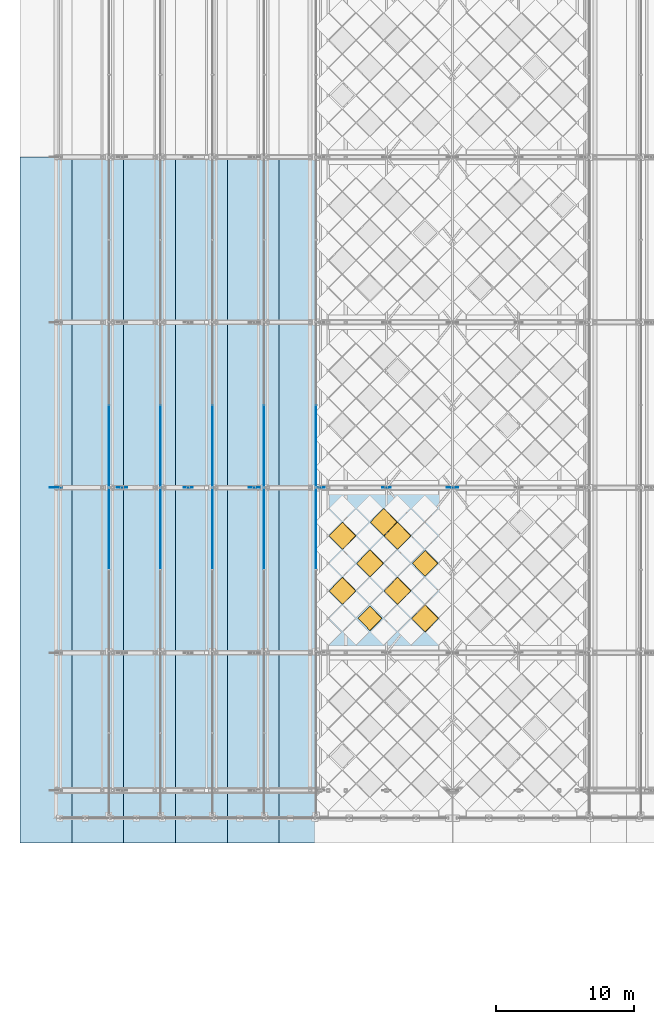
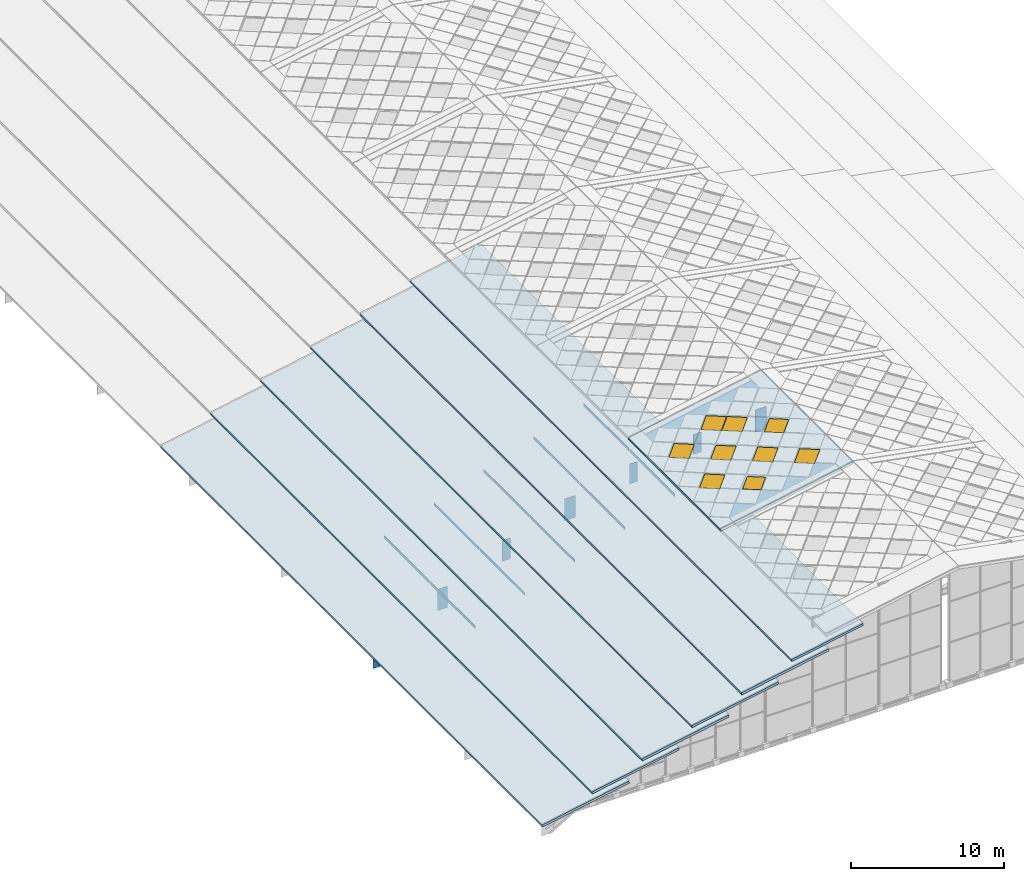
# One storey, part 88 of 117: 17 plates, 9 windows, 7 slabs, 9 openings, 10 elements without a shape of their own.
"""IFC4 building model written with IfcOpenShell, lengths in metres."""

from ifc_helpers import new_model, si_unit, direction, frame, origin, origin_2d, place, context, subcontext, project, spatial, polyline, rectangle, outline, extrude, material, layer, layer_set, type_object, element, fill, aggregate, save


model = new_model("IFC4")

# Units and contexts
model_context = context("Model", 3, precision=1e-05, world=origin(), true_north=direction((0.0, 1.0)))
body_context = subcontext(model_context, "Body", "Model", "MODEL_VIEW")
ifc_project = project(units=[si_unit("LENGTHUNIT", "METRE"), si_unit("AREAUNIT", "SQUARE_METRE"), si_unit("VOLUMEUNIT", "CUBIC_METRE"), si_unit("PLANEANGLEUNIT", "RADIAN"), si_unit("MASSUNIT", "GRAM", prefix="KILO")], contexts=[model_context])

# Site, building, storey
site_placement = place(None, origin())
site = spatial("IfcSite", under=ifc_project, at=site_placement, CompositionType="ELEMENT")
building_placement = place(site_placement, origin())
building = spatial("IfcBuilding", under=site, at=building_placement, Name="Merenkruunu Market Hall", CompositionType="ELEMENT")
storey_placement = place(building_placement, frame((0.0, 0.0, 22.800048828125)))
storey = spatial("IfcBuildingStorey", under=building, at=storey_placement, Name="RF", CompositionType="ELEMENT", Elevation=22.800048828125)

# Curtain wall, plate
ifc_material_1 = material(Name="Powder-coated aluminium", Category="aluminium")
curtain_wall_type = type_object("IfcCurtainWallType", Name="Clerestory Curtain Band CL05", PredefinedType="USERDEFINED", material=ifc_material_1)
curtain_wall_1_placement = place(storey_placement, origin())
curtain_wall_1 = element("IfcCurtainWall", 1, at=curtain_wall_1_placement, inside=storey, type_object=curtain_wall_type, Name="CW-RF-CWM04-081", ObjectType="CLERESTORY_BAND", PredefinedType="USERDEFINED")
ifc_material_2 = material(Name="Triple low-E insulated glass", Category="glass")
ifc_layer_1 = layer(ifc_material_2, 0.035888671875)
ifc_layer_set_1 = layer_set([ifc_layer_1], Name="Triple low-E insulated glass")
plate_type_1 = type_object("IfcPlateType", Name="Curtain Wall Glazing Panel CWP08", PredefinedType="CURTAIN_PANEL", material=ifc_layer_set_1)
plate_1_placement = place(storey_placement, frame((3.840087890625, 36.607421875, -6.462158203125), z_axis=(0.0, 0.0, 1.0), x_axis=(0.0, 1.0, 0.0)))
plate_1 = element("IfcPlate", 2, at=plate_1_placement, type_object=plate_type_1, Name="CL05 panel 4.1", PredefinedType="CURTAIN_PANEL", context=body_context, shape_type="SweptSolid", body=[
    extrude(rectangle(XDim=5.844970703125, YDim=0.035888671875, at=origin_2d()), origin(), (0.0, 0.0, 1.0), 0.22802734375),
])
aggregate(curtain_wall_1, [plate_1])

curtain_wall_2_placement = place(storey_placement, origin())
curtain_wall_2 = element("IfcCurtainWall", 3, at=curtain_wall_2_placement, inside=storey, type_object=curtain_wall_type, Name="CW-RF-CWM04-083", ObjectType="CLERESTORY_BAND", PredefinedType="USERDEFINED")
plate_2_placement = place(storey_placement, frame((3.840087890625, 42.617431640625, -6.462158203125), z_axis=(0.0, 0.0, 1.0), x_axis=(0.0, 1.0, 0.0)))
plate_2 = element("IfcPlate", 4, at=plate_2_placement, type_object=plate_type_1, Name="CL05 panel 1.1", PredefinedType="CURTAIN_PANEL", context=body_context, shape_type="SweptSolid", body=[
    extrude(rectangle(XDim=5.89501953125, YDim=0.035888671875, at=origin_2d()), origin(), (0.0, 0.0, 1.0), 0.22802734375),
])
aggregate(curtain_wall_2, [plate_2])

curtain_wall_3_placement = place(storey_placement, origin())
curtain_wall_3 = element("IfcCurtainWall", 5, at=curtain_wall_3_placement, inside=storey, type_object=curtain_wall_type, Name="CW-RF-CWM04-089", ObjectType="CLERESTORY_BAND", PredefinedType="USERDEFINED")
plate_3_placement = place(storey_placement, frame((7.60009765625, 36.607421875, -5.14208984375), z_axis=(0.0, 0.0, 1.0), x_axis=(0.0, 1.0, 0.0)))
plate_3 = element("IfcPlate", 6, at=plate_3_placement, type_object=plate_type_1, Name="CL05 panel 4.1", PredefinedType="CURTAIN_PANEL", context=body_context, shape_type="SweptSolid", body=[
    extrude(rectangle(XDim=5.844970703125, YDim=0.035888671875, at=origin_2d()), origin(), (0.0, 0.0, 1.0), 0.20703125),
])
aggregate(curtain_wall_3, [plate_3])

curtain_wall_4_placement = place(storey_placement, origin())
curtain_wall_4 = element("IfcCurtainWall", 7, at=curtain_wall_4_placement, inside=storey, type_object=curtain_wall_type, Name="CW-RF-CWM04-091", ObjectType="CLERESTORY_BAND", PredefinedType="USERDEFINED")
plate_4_placement = place(storey_placement, frame((7.60009765625, 42.617431640625, -5.14208984375), z_axis=(0.0, 0.0, 1.0), x_axis=(0.0, 1.0, 0.0)))
plate_4 = element("IfcPlate", 8, at=plate_4_placement, type_object=plate_type_1, Name="CL05 panel 1.1", PredefinedType="CURTAIN_PANEL", context=body_context, shape_type="SweptSolid", body=[
    extrude(rectangle(XDim=5.89501953125, YDim=0.035888671875, at=origin_2d()), origin(), (0.0, 0.0, 1.0), 0.20703125),
])
aggregate(curtain_wall_4, [plate_4])

curtain_wall_5_placement = place(storey_placement, origin())
curtain_wall_5 = element("IfcCurtainWall", 9, at=curtain_wall_5_placement, inside=storey, type_object=curtain_wall_type, Name="CW-RF-CWM04-097", ObjectType="CLERESTORY_BAND", PredefinedType="USERDEFINED")
plate_5_placement = place(storey_placement, frame((11.360107421875, 36.607421875, -3.822021484375), z_axis=(0.0, 0.0, 1.0), x_axis=(0.0, 1.0, 0.0)))
plate_5 = element("IfcPlate", 10, at=plate_5_placement, type_object=plate_type_1, Name="CL05 panel 4.1", PredefinedType="CURTAIN_PANEL", context=body_context, shape_type="SweptSolid", body=[
    extrude(rectangle(XDim=5.844970703125, YDim=0.035888671875, at=origin_2d()), origin(), (0.0, 0.0, 1.0), 0.22802734375),
])
aggregate(curtain_wall_5, [plate_5])

curtain_wall_6_placement = place(storey_placement, origin())
curtain_wall_6 = element("IfcCurtainWall", 11, at=curtain_wall_6_placement, inside=storey, type_object=curtain_wall_type, Name="CW-RF-CWM04-099", ObjectType="CLERESTORY_BAND", PredefinedType="USERDEFINED")
plate_6_placement = place(storey_placement, frame((11.360107421875, 42.617431640625, -3.822021484375), z_axis=(0.0, 0.0, 1.0), x_axis=(0.0, 1.0, 0.0)))
plate_6 = element("IfcPlate", 12, at=plate_6_placement, type_object=plate_type_1, Name="CL05 panel 1.1", PredefinedType="CURTAIN_PANEL", context=body_context, shape_type="SweptSolid", body=[
    extrude(rectangle(XDim=5.89501953125, YDim=0.035888671875, at=origin_2d()), origin(), (0.0, 0.0, 1.0), 0.22802734375),
])
aggregate(curtain_wall_6, [plate_6])

curtain_wall_7_placement = place(storey_placement, origin())
curtain_wall_7 = element("IfcCurtainWall", 13, at=curtain_wall_7_placement, inside=storey, type_object=curtain_wall_type, Name="CW-RF-CWM04-105", ObjectType="CLERESTORY_BAND", PredefinedType="USERDEFINED")
plate_7_placement = place(storey_placement, frame((15.1201171875, 36.607421875, -2.501953125), z_axis=(0.0, 0.0, 1.0), x_axis=(0.0, 1.0, 0.0)))
plate_7 = element("IfcPlate", 14, at=plate_7_placement, type_object=plate_type_1, Name="CL05 panel 4.1", PredefinedType="CURTAIN_PANEL", context=body_context, shape_type="SweptSolid", body=[
    extrude(rectangle(XDim=5.844970703125, YDim=0.035888671875, at=origin_2d()), origin(), (0.0, 0.0, 1.0), 0.20703125),
])
aggregate(curtain_wall_7, [plate_7])

curtain_wall_8_placement = place(storey_placement, origin())
curtain_wall_8 = element("IfcCurtainWall", 15, at=curtain_wall_8_placement, inside=storey, type_object=curtain_wall_type, Name="CW-RF-CWM04-107", ObjectType="CLERESTORY_BAND", PredefinedType="USERDEFINED")
plate_8_placement = place(storey_placement, frame((15.1201171875, 42.617431640625, -2.501953125), z_axis=(0.0, 0.0, 1.0), x_axis=(0.0, 1.0, 0.0)))
plate_8 = element("IfcPlate", 16, at=plate_8_placement, type_object=plate_type_1, Name="CL05 panel 1.1", PredefinedType="CURTAIN_PANEL", context=body_context, shape_type="SweptSolid", body=[
    extrude(rectangle(XDim=5.89501953125, YDim=0.035888671875, at=origin_2d()), origin(), (0.0, 0.0, 1.0), 0.20703125),
])
aggregate(curtain_wall_8, [plate_8])

curtain_wall_9_placement = place(storey_placement, origin())
curtain_wall_9 = element("IfcCurtainWall", 17, at=curtain_wall_9_placement, inside=storey, type_object=curtain_wall_type, Name="CW-RF-CWM04-113", ObjectType="CLERESTORY_BAND", PredefinedType="USERDEFINED")
plate_9_placement = place(storey_placement, frame((18.8798828125, 36.607421875, -1.18212890625), z_axis=(0.0, 0.0, 1.0), x_axis=(0.0, 1.0, 0.0)))
plate_9 = element("IfcPlate", 18, at=plate_9_placement, type_object=plate_type_1, Name="CL05 panel 4.1", PredefinedType="CURTAIN_PANEL", context=body_context, shape_type="SweptSolid", body=[
    extrude(rectangle(XDim=5.844970703125, YDim=0.035888671875, at=origin_2d()), origin(), (0.0, 0.0, 1.0), 0.22802734375),
])
aggregate(curtain_wall_9, [plate_9])

curtain_wall_10_placement = place(storey_placement, origin())
curtain_wall_10 = element("IfcCurtainWall", 19, at=curtain_wall_10_placement, inside=storey, type_object=curtain_wall_type, Name="CW-RF-CWM04-115", ObjectType="CLERESTORY_BAND", PredefinedType="USERDEFINED")
plate_10_placement = place(storey_placement, frame((18.8798828125, 42.617431640625, -1.18212890625), z_axis=(0.0, 0.0, 1.0), x_axis=(0.0, 1.0, 0.0)))
plate_10 = element("IfcPlate", 20, at=plate_10_placement, type_object=plate_type_1, Name="CL05 panel 1.1", PredefinedType="CURTAIN_PANEL", context=body_context, shape_type="SweptSolid", body=[
    extrude(rectangle(XDim=5.89501953125, YDim=0.035888671875, at=origin_2d()), origin(), (0.0, 0.0, 1.0), 0.22802734375),
])
aggregate(curtain_wall_10, [plate_10])

# Slabs
ifc_material_3 = material(Name="High-albedo white roof Steel S355ML", Category="steel")
ifc_layer_2 = layer(ifc_material_3, 0.199951171875)
ifc_layer_set_2 = layer_set([ifc_layer_2], Name="High-albedo white roof Steel S355ML")
slab_type_1 = type_object("IfcSlabType", Name="Sloped Or Flat Roof Deck RS01", PredefinedType="ROOF", material=ifc_layer_set_2)
slab_1_placement = place(storey_placement, frame((-2.60009765625, 13.800048828125, -7.800048828125), z_axis=(-0.182233397966, 0.0, 0.983255301875), x_axis=(0.983255301875, 0.0, 0.182233397966)))
element("IfcSlab", 21, at=slab_1_placement, inside=storey, type_object=slab_type_1, Name="SL-ROOF-V1-TW1-S", PredefinedType="ROOF", context=body_context, shape_type="SweptSolid", body=[
    extrude(outline(polyline([(0.0, 0.0), (6.671775459779865, 0.0), (6.671775459779865, 49.800048828125), (0.0, 49.800048828125), (0.0, 0.0)]), holes=[polyline([(4.841049288943523, 24.25), (6.16328588066131, 24.25), (6.16328588066131, 25.550048828125), (4.841049288943523, 25.550048828125), (4.841049288943523, 24.25)])]), origin(), (0.0, 0.0, -1.0), 0.199951171875),
])
slab_2_placement = place(storey_placement, frame((4.919921875, 13.800048828125, -5.16015625), z_axis=(-0.182233397966, 0.0, 0.983255301875), x_axis=(0.983255301875, 0.0, 0.182233397966)))
element("IfcSlab", 22, at=slab_2_placement, inside=storey, type_object=slab_type_1, Name="SL-ROOF-V1-TW3-S", PredefinedType="ROOF", context=body_context, shape_type="SweptSolid", body=[
    extrude(outline(polyline([(0.0, 0.0), (6.671775459779865, 0.0), (6.671775459779865, 49.800048828125), (0.0, 49.800048828125), (0.0, 0.0)]), holes=[polyline([(4.841093779519199, 24.25), (6.16328588066131, 24.25), (6.16328588066131, 25.550048828125), (4.841093779519199, 25.550048828125), (4.841093779519199, 24.25)])]), origin(), (0.0, 0.0, -1.0), 0.199951171875),
])
slab_3_placement = place(storey_placement, frame((12.43994140625, 13.800048828125, -2.52001953125), z_axis=(-0.182233397966, 0.0, 0.983255301875), x_axis=(0.983255301875, 0.0, 0.182233397966)))
element("IfcSlab", 23, at=slab_3_placement, inside=storey, type_object=slab_type_1, Name="SL-ROOF-V1-TW5-S", PredefinedType="ROOF", context=body_context, shape_type="SweptSolid", body=[
    extrude(outline(polyline([(0.0, 0.0), (6.671775459779865, 0.0), (6.671775459779865, 49.800048828125), (0.0, 49.800048828125), (0.0, 0.0)]), holes=[polyline([(4.841049288943523, 24.25), (6.16328588066131, 24.25), (6.16328588066131, 25.550048828125), (4.841049288943523, 25.550048828125), (4.841049288943523, 24.25)])]), origin(), (0.0, 0.0, -1.0), 0.199951171875),
])

# Slab, openings, windows
slab_4_placement = place(storey_placement, frame((18.800048828125, 27.60009765625, -0.080078125), z_axis=(-0.184775267092, 0.0, 0.98278079991), x_axis=(0.98278079991, 0.0, 0.184775267092)))
slab_4 = element("IfcSlab", 24, at=slab_4_placement, inside=storey, type_object=slab_type_1, Name="SL-ROOF-V1-CROWN-W-02", PredefinedType="ROOF", context=body_context, shape_type="SweptSolid", body=[
    extrude(outline(polyline([(0.0, 0.0), (10.175208959027184, 0.0), (10.175208959027184, 12.0), (0.0, 12.0), (0.0, 0.0)])), origin(), (0.0, 0.0, -1.0), 0.199951171875),
])
opening_1_placement = place(slab_4_placement, frame((8.14013671875, 2.5, 0.0), z_axis=(0.0, 0.0, 1.0), x_axis=(0.707106781187, 0.707106781187, 0.0)))
opening_1 = element("IfcOpeningElement", 25, at=opening_1_placement, cuts=slab_4, Name="Opening SK01", PredefinedType="OPENING", context=body_context, shape_type="SweptSolid", body=[
    extrude(rectangle(XDim=1.3798828125, YDim=1.3798828125, at=origin_2d()), frame((0.0, 0.0, 0.014892578125), z_axis=(0.0, 0.0, -1.0), x_axis=(1.0, 0.0, 0.0)), (0.0, 0.0, 1.0), 0.229736328125),
])
opening_2_placement = place(slab_4_placement, frame((8.14013671875, 6.5, 0.0), z_axis=(0.0, 0.0, 1.0), x_axis=(0.707106781187, 0.707106781187, 0.0)))
opening_2 = element("IfcOpeningElement", 26, at=opening_2_placement, cuts=slab_4, Name="Opening SK02", PredefinedType="OPENING", context=body_context, shape_type="SweptSolid", body=[
    extrude(rectangle(XDim=1.320068359375, YDim=1.320068359375, at=origin_2d()), frame((0.0, 0.0, 0.014892578125), z_axis=(0.0, 0.0, -1.0), x_axis=(1.0, 0.0, 0.0)), (0.0, 0.0, 1.0), 0.229736328125),
])
opening_3_placement = place(slab_4_placement, frame((6.10498046875, 4.5, -0.000244140625), z_axis=(0.0, 0.0, 1.0), x_axis=(0.707106781187, 0.707106781187, 0.0)))
opening_3 = element("IfcOpeningElement", 27, at=opening_3_placement, cuts=slab_4, Name="Opening SK01", PredefinedType="OPENING", context=body_context, shape_type="SweptSolid", body=[
    extrude(rectangle(XDim=1.3798828125, YDim=1.3798828125, at=origin_2d()), frame((0.0, 0.0, 0.014892578125), z_axis=(0.0, 0.0, -1.0), x_axis=(1.0, 0.0, 0.0)), (0.0, 0.0, 1.0), 0.229736328125),
])
opening_4_placement = place(slab_4_placement, frame((6.10498046875, 8.5, -0.000244140625), z_axis=(0.0, 0.0, 1.0), x_axis=(0.707106781187, 0.707106781187, 0.0)))
opening_4 = element("IfcOpeningElement", 28, at=opening_4_placement, cuts=slab_4, Name="Opening SK01", PredefinedType="OPENING", context=body_context, shape_type="SweptSolid", body=[
    extrude(rectangle(XDim=1.3798828125, YDim=1.3798828125, at=origin_2d()), frame((0.0, 0.0, 0.014892578125), z_axis=(0.0, 0.0, -1.0), x_axis=(1.0, 0.0, 0.0)), (0.0, 0.0, 1.0), 0.229736328125),
])
opening_5_placement = place(slab_4_placement, frame((5.087646484375, 9.5, 0.0), z_axis=(0.0, 0.0, 1.0), x_axis=(0.707106781187, 0.707106781187, 0.0)))
opening_5 = element("IfcOpeningElement", 29, at=opening_5_placement, cuts=slab_4, Name="Opening SK01", PredefinedType="OPENING", context=body_context, shape_type="SweptSolid", body=[
    extrude(rectangle(XDim=1.3798828125, YDim=1.3798828125, at=origin_2d()), frame((0.0, 0.0, 0.014892578125), z_axis=(0.0, 0.0, -1.0), x_axis=(1.0, 0.0, 0.0)), (0.0, 0.0, 1.0), 0.229736328125),
])
opening_6_placement = place(slab_4_placement, frame((4.070068359375, 2.5, 0.0), z_axis=(0.0, 0.0, 1.0), x_axis=(0.707106781187, 0.707106781187, 0.0)))
opening_6 = element("IfcOpeningElement", 30, at=opening_6_placement, cuts=slab_4, Name="Opening SK03", PredefinedType="OPENING", context=body_context, shape_type="SweptSolid", body=[
    extrude(rectangle(XDim=1.239990234375, YDim=1.239990234375, at=origin_2d()), frame((0.0, 0.0, 0.014892578125), z_axis=(0.0, 0.0, -1.0), x_axis=(1.0, 0.0, 0.0)), (0.0, 0.0, 1.0), 0.229736328125),
])
opening_7_placement = place(slab_4_placement, frame((4.070068359375, 6.5, 0.0), z_axis=(0.0, 0.0, 1.0), x_axis=(0.707106781187, 0.707106781187, 0.0)))
opening_7 = element("IfcOpeningElement", 31, at=opening_7_placement, cuts=slab_4, Name="Opening SK01", PredefinedType="OPENING", context=body_context, shape_type="SweptSolid", body=[
    extrude(rectangle(XDim=1.3798828125, YDim=1.3798828125, at=origin_2d()), frame((0.0, 0.0, 0.014892578125), z_axis=(0.0, 0.0, -1.0), x_axis=(1.0, 0.0, 0.0)), (0.0, 0.0, 1.0), 0.229736328125),
])
opening_8_placement = place(slab_4_placement, frame((2.034912109375, 4.5, 0.0), z_axis=(0.0, 0.0, 1.0), x_axis=(0.707106781187, 0.707106781187, 0.0)))
opening_8 = element("IfcOpeningElement", 32, at=opening_8_placement, cuts=slab_4, Name="Opening SK01", PredefinedType="OPENING", context=body_context, shape_type="SweptSolid", body=[
    extrude(rectangle(XDim=1.3798828125, YDim=1.3798828125, at=origin_2d()), frame((0.0, 0.0, 0.014892578125), z_axis=(0.0, 0.0, -1.0), x_axis=(1.0, 0.0, 0.0)), (0.0, 0.0, 1.0), 0.229736328125),
])
opening_9_placement = place(slab_4_placement, frame((2.034912109375, 8.5, 0.0), z_axis=(0.0, 0.0, 1.0), x_axis=(0.707106781187, 0.707106781187, 0.0)))
opening_9 = element("IfcOpeningElement", 33, at=opening_9_placement, cuts=slab_4, Name="Opening SK01", PredefinedType="OPENING", context=body_context, shape_type="SweptSolid", body=[
    extrude(rectangle(XDim=1.3798828125, YDim=1.3798828125, at=origin_2d()), frame((0.0, 0.0, 0.014892578125), z_axis=(0.0, 0.0, -1.0), x_axis=(1.0, 0.0, 0.0)), (0.0, 0.0, 1.0), 0.229736328125),
])
ifc_material_4 = material(Name="Diamond skylight blue triple glass", Category="glass")
ifc_layer_3 = layer(ifc_material_4, 0.094970703125)
ifc_layer_set_3 = layer_set([ifc_layer_3], Name="Diamond skylight blue triple glass")
window_type_1 = type_object("IfcWindowType", Name="Diamond Roof Skylight SK01", PartitioningType="SINGLE_PANEL", PredefinedType="SKYLIGHT", material=ifc_layer_set_3)
window_1_placement = place(opening_1_placement, origin())
window_1 = element("IfcWindow", 34, at=window_1_placement, inside=storey, type_object=window_type_1, Name="SKY-CROWN-019", OverallHeight=1.3798828125, OverallWidth=1.3798828125, PartitioningType="SINGLE_PANEL", PredefinedType="SKYLIGHT", context=body_context, shape_type="SweptSolid", body=[
    extrude(rectangle(XDim=1.3798828125, YDim=1.3798828125, at=origin_2d()), frame((0.0, 0.0, 0.0), z_axis=(0.0, 0.0, -1.0), x_axis=(1.0, 0.0, 0.0)), (0.0, 0.0, 1.0), 0.094970703125),
])
fill(opening_1, window_1)
window_2_placement = place(opening_3_placement, origin())
window_2 = element("IfcWindow", 35, at=window_2_placement, inside=storey, type_object=window_type_1, Name="SKY-CROWN-021", OverallHeight=1.3798828125, OverallWidth=1.3798828125, PartitioningType="SINGLE_PANEL", PredefinedType="SKYLIGHT", context=body_context, shape_type="SweptSolid", body=[
    extrude(rectangle(XDim=1.3798828125, YDim=1.3798828125, at=origin_2d()), frame((0.0, 0.0, 0.0), z_axis=(0.0, 0.0, -1.0), x_axis=(1.0, 0.0, 0.0)), (0.0, 0.0, 1.0), 0.094970703125),
])
fill(opening_3, window_2)
window_3_placement = place(opening_4_placement, origin())
window_3 = element("IfcWindow", 36, at=window_3_placement, inside=storey, type_object=window_type_1, Name="SKY-CROWN-022", OverallHeight=1.3798828125, OverallWidth=1.3798828125, PartitioningType="SINGLE_PANEL", PredefinedType="SKYLIGHT", context=body_context, shape_type="SweptSolid", body=[
    extrude(rectangle(XDim=1.3798828125, YDim=1.3798828125, at=origin_2d()), frame((0.0, 0.0, 0.0), z_axis=(0.0, 0.0, -1.0), x_axis=(1.0, 0.0, 0.0)), (0.0, 0.0, 1.0), 0.094970703125),
])
fill(opening_4, window_3)
window_4_placement = place(opening_5_placement, origin())
window_4 = element("IfcWindow", 37, at=window_4_placement, inside=storey, type_object=window_type_1, Name="SKY-CROWN-023", OverallHeight=1.3798828125, OverallWidth=1.3798828125, PartitioningType="SINGLE_PANEL", PredefinedType="SKYLIGHT", context=body_context, shape_type="SweptSolid", body=[
    extrude(rectangle(XDim=1.3798828125, YDim=1.3798828125, at=origin_2d()), frame((0.0, 0.0, 0.0), z_axis=(0.0, 0.0, -1.0), x_axis=(1.0, 0.0, 0.0)), (0.0, 0.0, 1.0), 0.094970703125),
])
fill(opening_5, window_4)
window_5_placement = place(opening_7_placement, origin())
window_5 = element("IfcWindow", 38, at=window_5_placement, inside=storey, type_object=window_type_1, Name="SKY-CROWN-025", OverallHeight=1.3798828125, OverallWidth=1.3798828125, PartitioningType="SINGLE_PANEL", PredefinedType="SKYLIGHT", context=body_context, shape_type="SweptSolid", body=[
    extrude(rectangle(XDim=1.3798828125, YDim=1.3798828125, at=origin_2d()), frame((0.0, 0.0, 0.0), z_axis=(0.0, 0.0, -1.0), x_axis=(1.0, 0.0, 0.0)), (0.0, 0.0, 1.0), 0.094970703125),
])
fill(opening_7, window_5)
window_6_placement = place(opening_8_placement, origin())
window_6 = element("IfcWindow", 39, at=window_6_placement, inside=storey, type_object=window_type_1, Name="SKY-CROWN-026", OverallHeight=1.3798828125, OverallWidth=1.3798828125, PartitioningType="SINGLE_PANEL", PredefinedType="SKYLIGHT", context=body_context, shape_type="SweptSolid", body=[
    extrude(rectangle(XDim=1.3798828125, YDim=1.3798828125, at=origin_2d()), frame((0.0, 0.0, 0.0), z_axis=(0.0, 0.0, -1.0), x_axis=(1.0, 0.0, 0.0)), (0.0, 0.0, 1.0), 0.094970703125),
])
fill(opening_8, window_6)
window_7_placement = place(opening_9_placement, origin())
window_7 = element("IfcWindow", 40, at=window_7_placement, inside=storey, type_object=window_type_1, Name="SKY-CROWN-027", OverallHeight=1.3798828125, OverallWidth=1.3798828125, PartitioningType="SINGLE_PANEL", PredefinedType="SKYLIGHT", context=body_context, shape_type="SweptSolid", body=[
    extrude(rectangle(XDim=1.3798828125, YDim=1.3798828125, at=origin_2d()), frame((0.0, 0.0, 0.0), z_axis=(0.0, 0.0, -1.0), x_axis=(1.0, 0.0, 0.0)), (0.0, 0.0, 1.0), 0.094970703125),
])
fill(opening_9, window_7)
ifc_layer_4 = layer(ifc_material_4, 0.094970703125)
ifc_layer_set_4 = layer_set([ifc_layer_4], Name="Diamond skylight blue triple glass")
window_type_2 = type_object("IfcWindowType", Name="Diamond Roof Skylight SK02", PartitioningType="SINGLE_PANEL", PredefinedType="SKYLIGHT", material=ifc_layer_set_4)
window_8_placement = place(opening_2_placement, origin())
window_8 = element("IfcWindow", 41, at=window_8_placement, inside=storey, type_object=window_type_2, Name="SKY-CROWN-020", OverallHeight=1.320068359375, OverallWidth=1.320068359375, PartitioningType="SINGLE_PANEL", PredefinedType="SKYLIGHT", context=body_context, shape_type="SweptSolid", body=[
    extrude(rectangle(XDim=1.320068359375, YDim=1.320068359375, at=origin_2d()), frame((0.0, 0.0, 0.0), z_axis=(0.0, 0.0, -1.0), x_axis=(1.0, 0.0, 0.0)), (0.0, 0.0, 1.0), 0.094970703125),
])
fill(opening_2, window_8)
ifc_layer_5 = layer(ifc_material_4, 0.094970703125)
ifc_layer_set_5 = layer_set([ifc_layer_5], Name="Diamond skylight blue triple glass")
window_type_3 = type_object("IfcWindowType", Name="Roof Smoke Vent Skylight SK03", PartitioningType="SINGLE_PANEL", PredefinedType="SKYLIGHT", material=ifc_layer_set_5)
window_9_placement = place(opening_6_placement, origin())
window_9 = element("IfcWindow", 42, at=window_9_placement, inside=storey, type_object=window_type_3, Name="SKY-CROWN-024", OverallHeight=1.239990234375, OverallWidth=1.239990234375, PartitioningType="SINGLE_PANEL", PredefinedType="SKYLIGHT", context=body_context, shape_type="SweptSolid", body=[
    extrude(rectangle(XDim=1.239990234375, YDim=1.239990234375, at=origin_2d()), frame((0.0, 0.0, 0.0), z_axis=(0.0, 0.0, -1.0), x_axis=(1.0, 0.0, 0.0)), (0.0, 0.0, 1.0), 0.094970703125),
])
fill(opening_6, window_9)

# Slabs
ifc_layer_6 = layer(ifc_material_3, 0.179931640625)
ifc_layer_set_6 = layer_set([ifc_layer_6], Name="High-albedo white roof Steel S355ML")
slab_type_2 = type_object("IfcSlabType", Name="Sloped Or Flat Roof Deck RS02", PredefinedType="ROOF", material=ifc_layer_set_6)
slab_5_placement = place(storey_placement, frame((1.159912109375, 13.800048828125, -6.47998046875), z_axis=(-0.182233397966, 0.0, 0.983255301875), x_axis=(0.983255301875, 0.0, 0.182233397966)))
element("IfcSlab", 43, at=slab_5_placement, inside=storey, type_object=slab_type_2, Name="SL-ROOF-V1-TW2-S", PredefinedType="ROOF", context=body_context, shape_type="SweptSolid", body=[
    extrude(outline(polyline([(0.0, 0.0), (6.671775459779865, 0.0), (6.671775459779865, 49.800048828125), (0.0, 49.800048828125), (0.0, 0.0)]), holes=[polyline([(4.841049288943523, 24.25), (6.163241390085635, 24.25), (6.163241390085635, 25.550048828125), (4.841049288943523, 25.550048828125), (4.841049288943523, 24.25)])]), origin(), (0.0, 0.0, -1.0), 0.179931640625),
])
slab_6_placement = place(storey_placement, frame((8.679931640625, 13.800048828125, -3.840087890625), z_axis=(-0.182233397966, 0.0, 0.983255301875), x_axis=(0.983255301875, 0.0, 0.182233397966)))
element("IfcSlab", 44, at=slab_6_placement, inside=storey, type_object=slab_type_2, Name="SL-ROOF-V1-TW4-S", PredefinedType="ROOF", context=body_context, shape_type="SweptSolid", body=[
    extrude(outline(polyline([(0.0, 0.0), (6.671775459779865, 0.0), (6.671775459779865, 49.800048828125), (0.0, 49.800048828125), (0.0, 0.0)]), holes=[polyline([(4.841093779519199, 24.25), (6.16328588066131, 24.25), (6.16328588066131, 25.550048828125), (4.841093779519199, 25.550048828125), (4.841093779519199, 24.25)])]), origin(), (0.0, 0.0, -1.0), 0.179931640625),
])
slab_7_placement = place(storey_placement, frame((16.199951171875, 13.800048828125, -1.199951171875), z_axis=(-0.182213420949, 0.0, 0.983259004142), x_axis=(0.983259004142, 0.0, 0.182213420949)))
element("IfcSlab", 45, at=slab_7_placement, inside=storey, type_object=slab_type_2, Name="SL-ROOF-V1-TW6-S", PredefinedType="ROOF", context=body_context, shape_type="SweptSolid", body=[
    extrude(outline(polyline([(0.0, 0.0), (5.492089532491207, 0.0), (5.492089532491207, 49.800048828125), (0.0, 49.800048828125), (0.0, 0.0)]), holes=[polyline([(3.6613633645284884, 24.25), (4.983599950698672, 24.25), (4.983599950698672, 25.550048828125), (3.6613633645284884, 25.550048828125), (3.6613633645284884, 24.25)])]), origin(), (0.0, 0.0, -1.0), 0.179931640625),
])

# Plates
ifc_material_5 = material(Name="Steel S355ML", Category="steel")
ifc_layer_7 = layer(ifc_material_5, 0.030029296875)
ifc_layer_set_7 = layer_set([ifc_layer_7], Name="Steel S355ML")
plate_type_2 = type_object("IfcPlateType", Name="Truss Gusset Or Cap Plate TN01", PredefinedType="USERDEFINED", material=ifc_layer_set_7)
plate_11_placement = place(storey_placement, frame((0.0, 39.60009765625, -11.72509765625), z_axis=(0.0, 0.0, 1.0), x_axis=(1.0, 0.0, 0.0)))
element("IfcPlate", 46, at=plate_11_placement, inside=storey, type_object=plate_type_2, Name="PLT-AT-3-NODE-00", ObjectType="GUSSET_PLATE", PredefinedType="USERDEFINED", context=body_context, shape_type="SweptSolid", body=[
    extrude(rectangle(XDim=0.89990234375, YDim=0.030029296875, at=origin_2d()), origin(), (0.0, 0.0, 1.0), 1.85009765625),
])
ifc_layer_8 = layer(ifc_material_5, 0.02490234375)
ifc_layer_set_8 = layer_set([ifc_layer_8], Name="Steel S355ML")
plate_type_3 = type_object("IfcPlateType", Name="Truss Gusset Or Cap Plate TN02", PredefinedType="USERDEFINED", material=ifc_layer_set_8)
plate_12_placement = place(storey_placement, frame((4.800048828125, 39.60009765625, -8.81591796875), z_axis=(0.0, 0.0, 1.0), x_axis=(1.0, 0.0, 0.0)))
element("IfcPlate", 47, at=plate_12_placement, inside=storey, type_object=plate_type_3, Name="PLT-AT-3-NODE-01", ObjectType="GUSSET_PLATE", PredefinedType="USERDEFINED", context=body_context, shape_type="SweptSolid", body=[
    extrude(rectangle(XDim=0.75, YDim=0.02490234375, at=origin_2d()), origin(), (0.0, 0.0, 1.0), 1.699951171875),
])
ifc_layer_9 = layer(ifc_material_5, 0.02490234375)
ifc_layer_set_9 = layer_set([ifc_layer_9], Name="Steel S355ML")
plate_type_4 = type_object("IfcPlateType", Name="Truss Gusset Or Cap Plate TN03", PredefinedType="USERDEFINED", material=ifc_layer_set_9)
plate_13_placement = place(storey_placement, frame((9.60009765625, 39.60009765625, -6.595947265625), z_axis=(0.0, 0.0, 1.0), x_axis=(1.0, 0.0, 0.0)))
element("IfcPlate", 48, at=plate_13_placement, inside=storey, type_object=plate_type_4, Name="PLT-AT-3-NODE-02", ObjectType="GUSSET_PLATE", PredefinedType="USERDEFINED", context=body_context, shape_type="SweptSolid", body=[
    extrude(rectangle(XDim=0.64990234375, YDim=0.02490234375, at=origin_2d()), origin(), (0.0, 0.0, 1.0), 1.64990234375),
])
ifc_layer_10 = layer(ifc_material_5, 0.028076171875)
ifc_layer_set_10 = layer_set([ifc_layer_10], Name="Steel S355ML")
plate_type_5 = type_object("IfcPlateType", Name="Truss Gusset Or Cap Plate TN04", PredefinedType="USERDEFINED", material=ifc_layer_set_10)
plate_14_placement = place(storey_placement, frame((14.39990234375, 39.60009765625, -5.005126953125), z_axis=(0.0, 0.0, 1.0), x_axis=(1.0, 0.0, 0.0)))
element("IfcPlate", 49, at=plate_14_placement, inside=storey, type_object=plate_type_5, Name="PLT-AT-3-NODE-03", ObjectType="GUSSET_PLATE", PredefinedType="USERDEFINED", context=body_context, shape_type="SweptSolid", body=[
    extrude(rectangle(XDim=0.800048828125, YDim=0.028076171875, at=origin_2d()), origin(), (0.0, 0.0, 1.0), 1.75),
])
ifc_layer_11 = layer(ifc_material_5, 0.02197265625)
ifc_layer_set_11 = layer_set([ifc_layer_11], Name="Steel S355ML")
plate_type_6 = type_object("IfcPlateType", Name="Truss Gusset Or Cap Plate TN05", PredefinedType="USERDEFINED", material=ifc_layer_set_11)
for number, where, z_axis, x_axis, name in (
    (50, (19.199951171875, 39.60009765625, -3.7900390625), (0.0, 0.0, 1.0), (1.0, 0.0, 0.0), "PLT-AT-3-NODE-04"),
    (51, (24.0, 39.60009765625, -3.1181640625), (0.0, 0.0, 1.0), (1.0, 0.0, 0.0), "PLT-AT-3-NODE-05"),
):
    element("IfcPlate", number, at=place(storey_placement, frame(where, z_axis=z_axis, x_axis=x_axis)), inside=storey, type_object=plate_type_6, Name=name, ObjectType="GUSSET_PLATE", PredefinedType="USERDEFINED", context=body_context, shape_type="SweptSolid", body=[
        extrude(rectangle(XDim=0.60009765625, YDim=0.02197265625, at=origin_2d()), origin(), (0.0, 0.0, 1.0), 1.60009765625),
    ])
ifc_layer_12 = layer(ifc_material_5, 0.031982421875)
ifc_layer_set_12 = layer_set([ifc_layer_12], Name="Steel S355ML")
plate_type_7 = type_object("IfcPlateType", Name="Truss Gusset Or Cap Plate TN06", PredefinedType="USERDEFINED", material=ifc_layer_set_12)
plate_15_placement = place(storey_placement, frame((28.800048828125, 39.60009765625, -2.99609375), z_axis=(0.0, 0.0, 1.0), x_axis=(1.0, 0.0, 0.0)))
element("IfcPlate", 52, at=plate_15_placement, inside=storey, type_object=plate_type_7, Name="PLT-AT-3-NODE-06", ObjectType="GUSSET_PLATE", PredefinedType="USERDEFINED", context=body_context, shape_type="SweptSolid", body=[
    extrude(rectangle(XDim=0.85009765625, YDim=0.031982421875, at=origin_2d()), origin(), (0.0, 0.0, 1.0), 1.800048828125),
])

save(model, "model.ifc")
